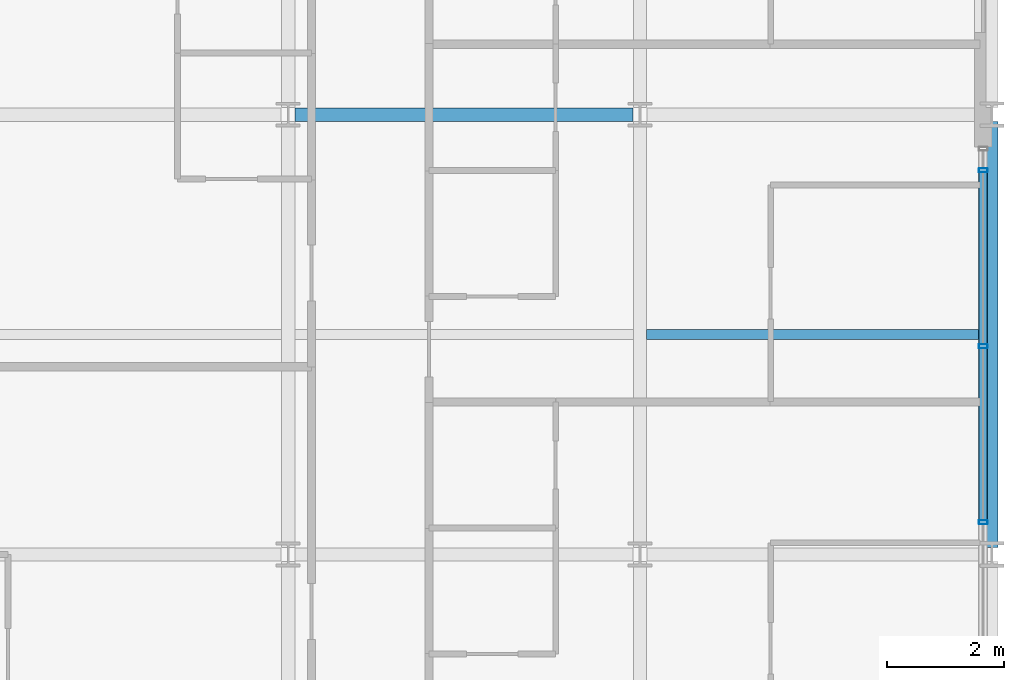
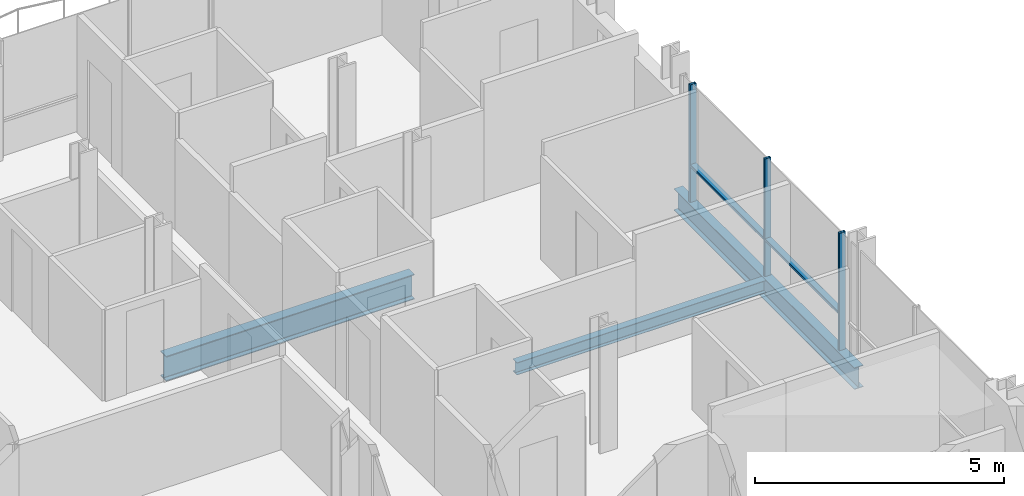
# One storey, part 19 of 41: 5 members, 3 beams, 1 element without a shape of its own.
"""IFC4 building model written with IfcOpenShell, lengths in metres."""

import ifcopenshell
import ifcopenshell.guid

model = None  # the IFC model being written
_history = None  # IfcOwnerHistory: only IFC2X3 demands one
_inside = {}  # id of a spatial element -> (the spatial element, [elements in it])
_under = {}  # id of a project, library or spatial element -> (it, [spatial elements below it])
_declared = {}  # id of a project -> (the project, [libraries it declares])
_typed = {}  # id of a type object -> (the type object, [elements of that type])
_made_of = {}  # id of a material, layer set ... -> (it, [elements and type objects made of it])


def new_model(schema):
    """Start an empty IFC model of exactly this schema.

    Asked for "IFC4X3", IfcOpenShell would pick the latest addendum, in which some entities
    have other attributes; the version numbers below select the first issue.
    IFC2X3 requires an IfcOwnerHistory on every rooted entity: one is made here for all.
    """
    global model, _history
    if schema == "IFC4X3":
        model = ifcopenshell.file(schema_version=(4, 3, 0, 0))
    else:
        model = ifcopenshell.file(schema=schema)
    _inside.clear()
    _under.clear()
    _declared.clear()
    _typed.clear()
    _made_of.clear()
    _history = None
    if model.schema == "IFC2X3":
        org = make("IfcOrganization", Name="unknown")
        user = make(
            "IfcPersonAndOrganization",
            ThePerson=make("IfcPerson", FamilyName="unknown"),
            TheOrganization=org,
        )
        app = make(
            "IfcApplication",
            ApplicationDeveloper=org,
            Version="unknown",
            ApplicationFullName="unknown",
            ApplicationIdentifier="unknown",
        )
        _history = make(
            "IfcOwnerHistory",
            OwningUser=user,
            OwningApplication=app,
            ChangeAction="ADDED",
            CreationDate=0,
        )
    return model


def make(cls, **values):
    """One entity of the class cls with the attributes given. An attribute that is None is left unset."""
    return model.create_entity(
        cls, **{name: value for name, value in values.items() if value is not None}
    )


def rooted(cls, **values):
    """An entity with a GlobalId (a new one), such as an element, a storey or a relation."""
    return make(cls, GlobalId=ifcopenshell.guid.new(), OwnerHistory=_history, **values)


def si_unit(unit_type, name, prefix=None):
    """IfcSIUnit, for example si_unit("LENGTHUNIT", "METRE", prefix="MILLI")."""
    return make("IfcSIUnit", UnitType=unit_type, Prefix=prefix, Name=name)


def assignment(units):
    """IfcUnitAssignment: the units of a project."""
    return None if units is None else make("IfcUnitAssignment", Units=units)


def point(xyz):
    """IfcCartesianPoint."""
    return None if xyz is None else make("IfcCartesianPoint", Coordinates=xyz)


def direction(xyz):
    """IfcDirection."""
    return None if xyz is None else make("IfcDirection", DirectionRatios=xyz)


def frame(location, z_axis=None, x_axis=None):
    """IfcAxis2Placement3D, a coordinate frame: its origin and axes. An axis left out is left unset."""
    return make(
        "IfcAxis2Placement3D",
        Location=point(location),
        Axis=direction(z_axis),
        RefDirection=direction(x_axis),
    )


def frame_2d(location, x_axis=None):
    """IfcAxis2Placement2D, a coordinate frame in the plane: its origin and x axis."""
    return make(
        "IfcAxis2Placement2D", Location=point(location), RefDirection=direction(x_axis)
    )


def origin():
    """The frame at (0, 0, 0) with its axes left unset."""
    return frame((0.0, 0.0, 0.0))


def origin_2d():
    """The frame at (0, 0) in the plane with its x axis left unset."""
    return frame_2d((0.0, 0.0))


def place(relative_to, where):
    """IfcLocalPlacement: puts the frame where relative to a parent placement (None: the world)."""
    return make(
        "IfcLocalPlacement", PlacementRelTo=relative_to, RelativePlacement=where
    )


def context(
    kind, dimensions, precision=None, world=None, true_north=None, identifier=None
):
    """IfcGeometricRepresentationContext, for example the 3D "Model" context."""
    return make(
        "IfcGeometricRepresentationContext",
        ContextIdentifier=identifier,
        ContextType=kind,
        CoordinateSpaceDimension=dimensions,
        Precision=precision,
        WorldCoordinateSystem=world,
        TrueNorth=true_north,
    )


def subcontext(parent, identifier, kind, view, scale=None):
    """IfcGeometricRepresentationSubContext, for example "Body" below "Model"."""
    return make(
        "IfcGeometricRepresentationSubContext",
        ContextIdentifier=identifier,
        ContextType=kind,
        ParentContext=parent,
        TargetScale=scale,
        TargetView=view,
    )


def project(units=None, contexts=None):
    """IfcProject with its units and contexts."""
    return rooted(
        "IfcProject",
        Name="project",
        RepresentationContexts=contexts,
        UnitsInContext=assignment(units),
    )


def spatial(cls, under=None, at=None, **own):
    """A site, building, storey or space (cls), placed at a placement, below another one or the project."""
    s = rooted(cls, ObjectPlacement=at, **own)
    if under is not None:
        _under.setdefault(under.id(), (under, []))[1].append(s)
    return s


def profile(cls, at=None, kind="AREA", **sizes):
    """A parametric profile (cls). Its sizes go by their IFC names, for example OverallWidth=200.0."""
    return make(cls, ProfileType=kind, Position=at, **sizes)


def hollow_rectangle(**sizes):
    """IfcRectangleHollowProfileDef."""
    return profile("IfcRectangleHollowProfileDef", **sizes)


def i_section(**sizes):
    """IfcIShapeProfileDef."""
    return profile("IfcIShapeProfileDef", **sizes)


def extrude(swept, where, along, depth):
    """IfcExtrudedAreaSolid: the profile swept, set in the frame where, extruded along a direction by depth."""
    return make(
        "IfcExtrudedAreaSolid",
        SweptArea=swept,
        Position=where,
        ExtrudedDirection=direction(along),
        Depth=depth,
    )


def shape(context_of_items, identifier, shape_type, items):
    """IfcShapeRepresentation: the items that make up one representation, for example the "Body"."""
    return make(
        "IfcShapeRepresentation",
        ContextOfItems=context_of_items,
        RepresentationIdentifier=identifier,
        RepresentationType=shape_type,
        Items=items,
    )


def material(Name=None, Category=None):
    """IfcMaterial."""
    return make("IfcMaterial", Name=Name, Category=Category)


def layer(
    of_material, thickness, ventilated=None, Name=None, Category=None, Priority=None
):
    """IfcMaterialLayer: one layer of a wall or slab, of a material (None: an air gap)."""
    return make(
        "IfcMaterialLayer",
        Material=of_material,
        LayerThickness=thickness,
        IsVentilated=ventilated,
        Name=Name,
        Category=Category,
        Priority=Priority,
    )


def layer_set(layers, Name=None):
    """IfcMaterialLayerSet."""
    return make("IfcMaterialLayerSet", MaterialLayers=layers, LayerSetName=Name)


def material_profile(
    of_material, cross_section, Name=None, Category=None, Priority=None
):
    """IfcMaterialProfile: a cross section and its material."""
    return make(
        "IfcMaterialProfile",
        Name=Name,
        Material=of_material,
        Profile=cross_section,
        Priority=Priority,
        Category=Category,
    )


def profile_set(profiles, Name=None, composite=None):
    """IfcMaterialProfileSet."""
    return make(
        "IfcMaterialProfileSet",
        Name=Name,
        MaterialProfiles=profiles,
        CompositeProfile=composite,
    )


def made_of(thing, what):
    """Note that an element or type object is made of a material, layer set ...; save() writes the relation."""
    if what is not None:
        _made_of.setdefault(what.id(), (what, []))[1].append(thing)
    return thing


def type_object(cls, material=None, **own):
    """A type object (cls), such as IfcWallType, which elements share."""
    return made_of(rooted(cls, **own), material)


def element(
    cls,
    number,
    at=None,
    inside=None,
    cuts=None,
    type_object=None,
    material=None,
    context=None,
    identifier="Body",
    shape_type=None,
    held_by="IfcProductDefinitionShape",
    body=None,
    shapes=None,
    **own,
):
    """One element of the class cls, such as IfcWall. Its Tag is "e" and its number.

    at: its placement. inside: the storey or other place that contains it. cuts: it is an
    opening in that element (IfcRelVoidsElement). A single representation is given by context,
    identifier, shape_type and body (its items); several are given by shapes. held_by: the class
    of the entity that holds the representations. save() writes the other relations.
    """
    e = rooted(cls, Tag="e%d" % number, ObjectPlacement=at, **own)
    if body is not None:
        shapes = [shape(context, identifier, shape_type, body)]
    if shapes is not None:
        e.Representation = make(held_by, Representations=shapes)
    if inside is not None:
        _inside.setdefault(inside.id(), (inside, []))[1].append(e)
    if cuts is not None:
        rooted(
            "IfcRelVoidsElement", RelatingBuildingElement=cuts, RelatedOpeningElement=e
        )
    if type_object is not None:
        _typed.setdefault(type_object.id(), (type_object, []))[1].append(e)
    return made_of(e, material)


def aggregate(whole, parts):
    """IfcRelAggregates: a whole, such as a stair, and the parts it consists of."""
    return rooted("IfcRelAggregates", RelatingObject=whole, RelatedObjects=parts)


def save(model, path):
    """Write the relations noted so far, then the file.

    IfcRelAggregates (storeys below a building ...), IfcRelContainedInSpatialStructure (elements
    in a storey), IfcRelDefinesByType, IfcRelAssociatesMaterial and IfcRelDeclares: one each for
    every whole, place, type object, material and project.
    """
    for whole, parts in _under.values():
        aggregate(whole, parts)
    for where, things in _inside.values():
        rooted(
            "IfcRelContainedInSpatialStructure",
            RelatedElements=things,
            RelatingStructure=where,
        )
    for kind, things in _typed.values():
        rooted("IfcRelDefinesByType", RelatedObjects=things, RelatingType=kind)
    for what, things in _made_of.values():
        rooted("IfcRelAssociatesMaterial", RelatedObjects=things, RelatingMaterial=what)
    for by, libraries in _declared.values():
        rooted("IfcRelDeclares", RelatingContext=by, RelatedDefinitions=libraries)
    model.write(path)


model = new_model("IFC4")

# Units and contexts
model_context = context("Model", 3, precision=1e-05, world=origin(), true_north=direction((0.0, 1.0)))
body_context = subcontext(model_context, "Body", "Model", "MODEL_VIEW")
ifc_project = project(units=[si_unit("LENGTHUNIT", "METRE"), si_unit("AREAUNIT", "SQUARE_METRE"), si_unit("VOLUMEUNIT", "CUBIC_METRE"), si_unit("PLANEANGLEUNIT", "RADIAN"), si_unit("MASSUNIT", "GRAM", prefix="KILO")], contexts=[model_context])

# Site, building, storey
site_placement = place(None, origin())
site = spatial("IfcSite", under=ifc_project, at=site_placement, CompositionType="ELEMENT")
building_placement = place(site_placement, origin())
building = spatial("IfcBuilding", under=site, at=building_placement, Name="Brevholm Reach", CompositionType="ELEMENT")
storey_placement = place(building_placement, frame((0.0, 0.0, 106.60009765625)))
storey = spatial("IfcBuildingStorey", under=building, at=storey_placement, Name="L31", CompositionType="ELEMENT", Elevation=106.60009765625)

# Beams
ifc_material_1 = material(Name="Structural Steel S355J2", Category="steel")
ifc_material_profile_1 = material_profile(ifc_material_1, i_section(OverallWidth=0.1650390625, OverallDepth=0.303466796875, WebThickness=0.006103515625, FlangeThickness=0.01025390625, FilletRadius=0.0087890625, at=origin_2d()), Name="UKB 305x165x40")
ifc_profile_set_1 = profile_set([ifc_material_profile_1], Name="Structural Steel S355J2")
beam_type_1 = type_object("IfcBeamType", Name="BM-B305", PredefinedType="BEAM", material=ifc_profile_set_1)
beam_1_placement = place(storey_placement, frame((54.114501953125, 19.75, -0.371826171875), z_axis=(1.0, 0.0, 0.0), x_axis=(0.0, 1.0, 0.0)))
element("IfcBeam", 1, at=beam_1_placement, inside=storey, type_object=beam_type_1, Name="L31 Composite Secondary Floor Beam", PredefinedType="BEAM", context=body_context, shape_type="SweptSolid", body=[
    extrude(i_section(OverallWidth=0.1650390625, OverallDepth=0.303466796875, WebThickness=0.006103515625, FlangeThickness=0.01025390625, FilletRadius=0.0087890625, at=origin_2d()), origin(), (0.0, 0.0, 1.0), 5.78076171875),
])
ifc_material_2 = material(Name="Structural Steel S355J2", Category="steel")
ifc_material_profile_2 = material_profile(ifc_material_2, i_section(OverallWidth=0.209228515625, OverallDepth=0.533203125, WebThickness=0.010009765625, FlangeThickness=0.015625, FilletRadius=0.0126953125, at=origin_2d()), Name="UKB 533x210x92")
ifc_profile_set_2 = profile_set([ifc_material_profile_2], Name="Structural Steel S355J2")
beam_type_2 = type_object("IfcBeamType", Name="BM-SP533", PredefinedType="SPANDREL", material=ifc_profile_set_2)
beam_2_placement = place(storey_placement, frame((60.0, 16.1201171875, -0.486572265625), z_axis=(0.0, 1.0, 0.0), x_axis=(-1.0, 0.0, 0.0)))
element("IfcBeam", 2, at=beam_2_placement, inside=storey, type_object=beam_type_2, Name="L31 SP-02 Framing Beam", PredefinedType="SPANDREL", context=body_context, shape_type="SweptSolid", body=[
    extrude(i_section(OverallWidth=0.209228515625, OverallDepth=0.533203125, WebThickness=0.010009765625, FlangeThickness=0.015625, FilletRadius=0.0126953125, at=origin_2d()), origin(), (0.0, 0.0, 1.0), 7.259765625),
])
ifc_material_3 = material(Name="Structural Steel S355J2", Category="steel")
ifc_material_profile_3 = material_profile(ifc_material_3, i_section(OverallWidth=0.22900390625, OverallDepth=0.6123046875, WebThickness=0.011962890625, FlangeThickness=0.01953125, FilletRadius=0.0126953125, at=origin_2d()), Name="UKB 610x229x125")
ifc_profile_set_3 = profile_set([ifc_material_profile_3], Name="Structural Steel S355J2")
beam_type_3 = type_object("IfcBeamType", Name="BM-SP610", PredefinedType="SPANDREL", material=ifc_profile_set_3)
beam_3_placement = place(storey_placement, frame((48.1201171875, 23.5, -0.526123046875), z_axis=(1.0, 0.0, 0.0), x_axis=(0.0, 1.0, 0.0)))
element("IfcBeam", 3, at=beam_3_placement, inside=storey, type_object=beam_type_3, Name="L31 SP-01 Framing Beam", PredefinedType="SPANDREL", context=body_context, shape_type="SweptSolid", body=[
    extrude(i_section(OverallWidth=0.22900390625, OverallDepth=0.6123046875, WebThickness=0.011962890625, FlangeThickness=0.01953125, FilletRadius=0.0126953125, at=origin_2d()), origin(), (0.0, 0.0, 1.0), 5.759765625),
])

# Curtain wall, members
ifc_material_4 = material(Name="Dark Anodised Aluminium 6063-T6 and Solar-Control Glass", Category="aluminium")
ifc_layer = layer(ifc_material_4, 0.14990234375)
ifc_layer_set = layer_set([ifc_layer], Name="Dark Anodised Aluminium 6063-T6 and Solar-Control Glass")
curtain_wall_type = type_object("IfcCurtainWallType", Name="CW-01", PredefinedType="NOTDEFINED", material=ifc_layer_set)
curtain_wall_placement = place(storey_placement, origin())
curtain_wall = element("IfcCurtainWall", 4, at=curtain_wall_placement, inside=storey, type_object=curtain_wall_type, Name="L31 Curtain Wall CW-01", PredefinedType="NOTDEFINED")
ifc_material_5 = material(Name="Dark Anodised Aluminium 6063-T6", Category="aluminium")
ifc_material_profile_4 = material_profile(ifc_material_5, hollow_rectangle(XDim=0.06494140625, YDim=0.14990234375, WallThickness=0.0048828125, InnerFilletRadius=0.0048828125, OuterFilletRadius=0.010009765625, at=origin_2d()), Name="RHS 150x65x5")
ifc_profile_set_4 = profile_set([ifc_material_profile_4], Name="Dark Anodised Aluminium 6063-T6")
member_type_1 = type_object("IfcMemberType", Name="CWM-150", PredefinedType="MULLION", material=ifc_profile_set_4)
member_1_placement = place(storey_placement, frame((59.85009765625, 16.550048828125, 0.0), z_axis=(0.0, 0.0, 1.0), x_axis=(0.0, 1.0, 0.0)))
member_1 = element("IfcMember", 5, at=member_1_placement, type_object=member_type_1, Name="CM-150 Mullion 3", PredefinedType="MULLION", context=body_context, shape_type="SweptSolid", body=[
    extrude(hollow_rectangle(XDim=0.06494140625, YDim=0.14990234375, WallThickness=0.0048828125, InnerFilletRadius=0.0048828125, OuterFilletRadius=0.010009765625, at=origin_2d()), origin(), (0.0, 0.0, 1.0), 2.8798828125),
])
member_2_placement = place(storey_placement, frame((59.85009765625, 19.550048828125, 0.0), z_axis=(0.0, 0.0, 1.0), x_axis=(0.0, 1.0, 0.0)))
member_2 = element("IfcMember", 6, at=member_2_placement, type_object=member_type_1, Name="CM-150 Mullion 4", PredefinedType="MULLION", context=body_context, shape_type="SweptSolid", body=[
    extrude(hollow_rectangle(XDim=0.06494140625, YDim=0.14990234375, WallThickness=0.0048828125, InnerFilletRadius=0.0048828125, OuterFilletRadius=0.010009765625, at=origin_2d()), origin(), (0.0, 0.0, 1.0), 2.8798828125),
])
member_3_placement = place(storey_placement, frame((59.85009765625, 22.550048828125, 0.0), z_axis=(0.0, 0.0, 1.0), x_axis=(0.0, 1.0, 0.0)))
member_3 = element("IfcMember", 7, at=member_3_placement, type_object=member_type_1, Name="CM-150 Mullion 5", PredefinedType="MULLION", context=body_context, shape_type="SweptSolid", body=[
    extrude(hollow_rectangle(XDim=0.06494140625, YDim=0.14990234375, WallThickness=0.0048828125, InnerFilletRadius=0.0048828125, OuterFilletRadius=0.010009765625, at=origin_2d()), origin(), (0.0, 0.0, 1.0), 2.8798828125),
])
ifc_material_6 = material(Name="Dark Anodised Aluminium 6063-T6", Category="aluminium")
ifc_material_profile_5 = material_profile(ifc_material_6, hollow_rectangle(XDim=0.06494140625, YDim=0.14990234375, WallThickness=0.0048828125, InnerFilletRadius=0.0048828125, OuterFilletRadius=0.010009765625, at=origin_2d()), Name="RHS 150x65x5")
ifc_profile_set_5 = profile_set([ifc_material_profile_5], Name="Dark Anodised Aluminium 6063-T6")
member_type_2 = type_object("IfcMemberType", Name="CWT-150", PredefinedType="NOTDEFINED", material=ifc_profile_set_5)
member_4_placement = place(storey_placement, frame((59.85009765625, 16.58251953125, 0.89990234375), z_axis=(0.0, 1.0, 0.0), x_axis=(0.0, 0.0, 1.0)))
member_4 = element("IfcMember", 8, at=member_4_placement, type_object=member_type_2, Name="CT-150 Transom 3.1", ObjectType="TRANSOM", PredefinedType="USERDEFINED", context=body_context, shape_type="SweptSolid", body=[
    extrude(hollow_rectangle(XDim=0.06494140625, YDim=0.14990234375, WallThickness=0.0048828125, InnerFilletRadius=0.0048828125, OuterFilletRadius=0.010009765625, at=origin_2d()), origin(), (0.0, 0.0, 1.0), 2.93505859375),
])
member_5_placement = place(storey_placement, frame((59.85009765625, 19.58251953125, 0.89990234375), z_axis=(0.0, 1.0, 0.0), x_axis=(0.0, 0.0, 1.0)))
member_5 = element("IfcMember", 9, at=member_5_placement, type_object=member_type_2, Name="CT-150 Transom 4.1", ObjectType="TRANSOM", PredefinedType="USERDEFINED", context=body_context, shape_type="SweptSolid", body=[
    extrude(hollow_rectangle(XDim=0.06494140625, YDim=0.14990234375, WallThickness=0.0048828125, InnerFilletRadius=0.0048828125, OuterFilletRadius=0.010009765625, at=origin_2d()), origin(), (0.0, 0.0, 1.0), 2.93505859375),
])
aggregate(curtain_wall, [member_1, member_2, member_3, member_4, member_5])

save(model, "model.ifc")
